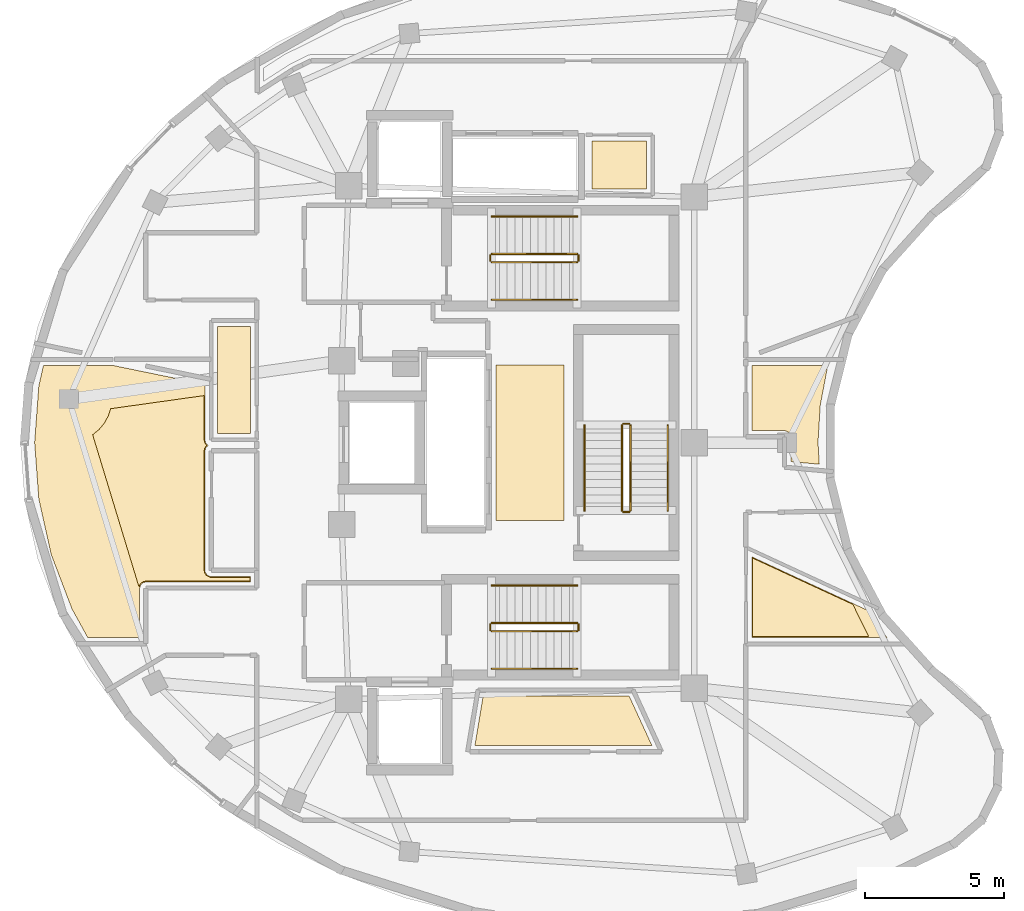
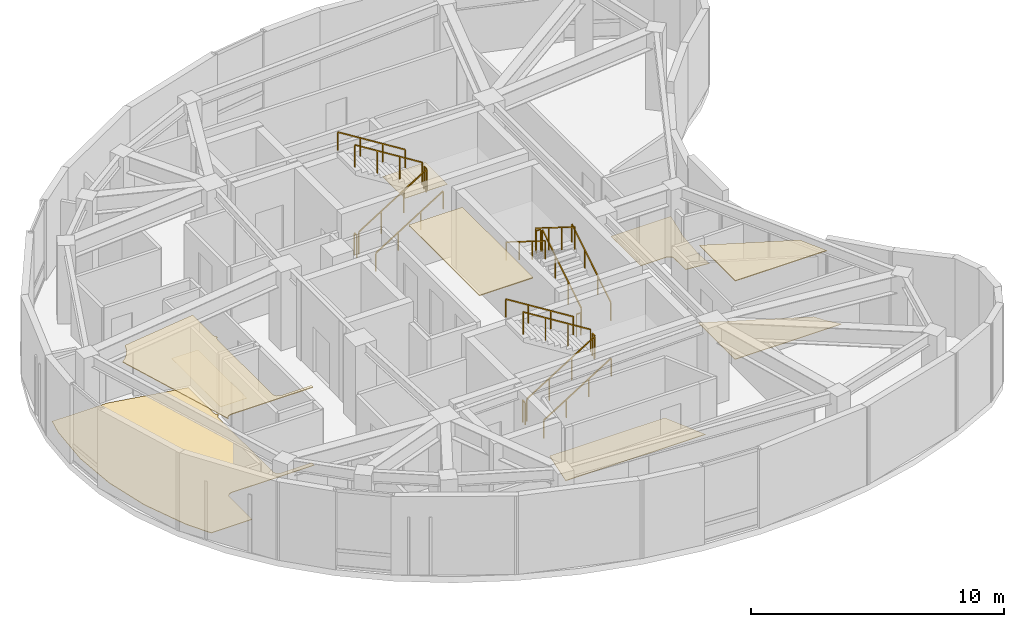
# One storey, part 7 of 8: 18 railings, 9 coverings.
"""IFC4 building model written with IfcOpenShell, lengths in metres."""

from ifc_helpers import new_model, si_unit, direction, frame, origin, origin_2d, place, context, subcontext, project, spatial, polyline, rectangle, outline, extrude, material, layer, layer_set, type_object, element, save


model = new_model("IFC4")

# Units and contexts
model_context = context("Model", 3, precision=1e-05, world=origin(), true_north=direction((0.0, 1.0)))
body_context = subcontext(model_context, "Body", "Model", "MODEL_VIEW")
ifc_project = project(units=[si_unit("LENGTHUNIT", "METRE"), si_unit("AREAUNIT", "SQUARE_METRE"), si_unit("VOLUMEUNIT", "CUBIC_METRE"), si_unit("PLANEANGLEUNIT", "RADIAN"), si_unit("MASSUNIT", "GRAM", prefix="KILO")], contexts=[model_context])

# Site, building, storey
site_placement = place(None, origin())
site = spatial("IfcSite", under=ifc_project, at=site_placement, CompositionType="ELEMENT")
building_placement = place(site_placement, origin())
building = spatial("IfcBuilding", under=site, at=building_placement, Name="Korentha Bioscience Tower", CompositionType="ELEMENT")
storey_placement = place(building_placement, frame((0.0, 0.0, 318.60009765625)))
storey = spatial("IfcBuildingStorey", under=building, at=storey_placement, Name="L73", CompositionType="ELEMENT", Elevation=318.60009765625)

# Coverings
ifc_material_1 = material(Name="Vitrified Porcelain Tile", Category="ceramic")
ifc_layer_1 = layer(ifc_material_1, 0.014892578125, Name="Vitrified Porcelain Tile")
ifc_layer_set_1 = layer_set([ifc_layer_1], Name="Vitrified Porcelain Tile (FL-CER)")
covering_type_1 = type_object("IfcCoveringType", Name="Anti-Slip Ceramic Wet-Room Tile Flooring 15", PredefinedType="FLOORING", material=ifc_layer_set_1)
covering_1_placement = place(storey_placement, origin())
element("IfcCovering", 1, at=covering_1_placement, inside=storey, type_object=covering_type_1, Name="L73 Accessible Staff WC Floor Finish", PredefinedType="FLOORING", context=body_context, shape_type="SweptSolid", body=[
    extrude(outline(polyline([(33.8701171875, 36.1298828125), (33.8701171875, 37.8701171875), (35.830078125, 37.8701171875), (35.830078125, 36.1298828125), (33.8701171875, 36.1298828125)])), origin(), (0.0, 0.0, 1.0), 0.014892578125),
])
covering_2_placement = place(storey_placement, origin())
element("IfcCovering", 2, at=covering_2_placement, inside=storey, type_object=covering_type_1, Name="L73 Reclaimed Bank-2 Accessible Staff WC Floor Finish", PredefinedType="FLOORING", context=body_context, shape_type="SweptSolid", body=[
    extrude(outline(polyline([(21.570068359375, 27.320068359375), (20.3701171875, 27.320068359375), (20.3701171875, 31.179931640625), (21.570068359375, 31.179931640625), (21.570068359375, 27.320068359375)])), origin(), (0.0, 0.0, 1.0), 0.014892578125),
])

# Railings
ifc_material_2 = material(Name="Stainless Steel 304", Category="steel")
railing_type_1 = type_object("IfcRailingType", Name="Brushed Stainless Stair Handrail 900", PredefinedType="HANDRAIL", material=ifc_material_2)
railing_1_placement = place(storey_placement, frame((30.25, 32.14990234375, 0.1748046875)))
element("IfcRailing", 3, at=railing_1_placement, inside=storey, type_object=railing_type_1, Name="L73 ST-1 stair handrail 1", PredefinedType="HANDRAIL", context=body_context, shape_type="SweptSolid", body=[
    extrude(rectangle(XDim=0.048095703125, YDim=0.048095703125, at=origin_2d()), frame((0.0, 0.0, 0.8759765625), z_axis=(0.847998304005, 0.0, 0.529998940003), x_axis=(0.0, 1.0, 0.0)), (0.0, 0.0, 1.0), 3.632080078125),
    extrude(rectangle(XDim=0.0419921875, YDim=0.0419921875, at=origin_2d()), origin(), (0.0, 0.0, 1.0), 0.851806640625),
    extrude(rectangle(XDim=0.0419921875, YDim=0.0419921875, at=origin_2d()), frame((1.026611328125, 0.0, 0.6416015625)), (0.0, 0.0, 1.0), 0.851806640625),
    extrude(rectangle(XDim=0.0419921875, YDim=0.0419921875, at=origin_2d()), frame((2.053466796875, 0.0, 1.283447265625)), (0.0, 0.0, 1.0), 0.851806640625),
    extrude(rectangle(XDim=0.0419921875, YDim=0.0419921875, at=origin_2d()), frame((3.080078125, 0.0, 1.925048828125)), (0.0, 0.0, 1.0), 0.851806640625),
])
railing_2_placement = place(storey_placement, frame((33.330078125, 35.14990234375, 2.27490234375)))
element("IfcRailing", 4, at=railing_2_placement, inside=storey, type_object=railing_type_1, Name="L73 ST-1 stair handrail 2", PredefinedType="HANDRAIL", context=body_context, shape_type="SweptSolid", body=[
    extrude(rectangle(XDim=0.048095703125, YDim=0.048095703125, at=origin_2d()), frame((0.0, 0.0, 0.8759765625), z_axis=(-0.847998304005, 0.0, 0.529998940003), x_axis=(0.0, -1.0, 0.0)), (0.0, 0.0, 1.0), 3.632080078125),
    extrude(rectangle(XDim=0.0419921875, YDim=0.0419921875, at=origin_2d()), origin(), (0.0, 0.0, 1.0), 0.851806640625),
    extrude(rectangle(XDim=0.0419921875, YDim=0.0419921875, at=origin_2d()), frame((-1.026611328125, 0.0, 0.6416015625)), (0.0, 0.0, 1.0), 0.851806640625),
    extrude(rectangle(XDim=0.0419921875, YDim=0.0419921875, at=origin_2d()), frame((-2.053466796875, 0.0, 1.283447265625)), (0.0, 0.0, 1.0), 0.851806640625),
    extrude(rectangle(XDim=0.0419921875, YDim=0.0419921875, at=origin_2d()), frame((-3.080078125, 0.0, 1.925048828125)), (0.0, 0.0, 1.0), 0.851806640625),
])
railing_3_placement = place(storey_placement, frame((30.25, 18.85009765625, 0.1748046875)))
element("IfcRailing", 5, at=railing_3_placement, inside=storey, type_object=railing_type_1, Name="L73 ST-2 stair handrail 1", PredefinedType="HANDRAIL", context=body_context, shape_type="SweptSolid", body=[
    extrude(rectangle(XDim=0.048095703125, YDim=0.048095703125, at=origin_2d()), frame((0.0, 0.0, 0.8759765625), z_axis=(0.847998304005, 0.0, 0.529998940003), x_axis=(0.0, 1.0, 0.0)), (0.0, 0.0, 1.0), 3.632080078125),
    extrude(rectangle(XDim=0.0419921875, YDim=0.0419921875, at=origin_2d()), origin(), (0.0, 0.0, 1.0), 0.851806640625),
    extrude(rectangle(XDim=0.0419921875, YDim=0.0419921875, at=origin_2d()), frame((1.026611328125, 0.0, 0.6416015625)), (0.0, 0.0, 1.0), 0.851806640625),
    extrude(rectangle(XDim=0.0419921875, YDim=0.0419921875, at=origin_2d()), frame((2.053466796875, 0.0, 1.283447265625)), (0.0, 0.0, 1.0), 0.851806640625),
    extrude(rectangle(XDim=0.0419921875, YDim=0.0419921875, at=origin_2d()), frame((3.080078125, 0.0, 1.925048828125)), (0.0, 0.0, 1.0), 0.851806640625),
])
railing_4_placement = place(storey_placement, frame((33.330078125, 21.85009765625, 2.27490234375)))
element("IfcRailing", 6, at=railing_4_placement, inside=storey, type_object=railing_type_1, Name="L73 ST-2 stair handrail 2", PredefinedType="HANDRAIL", context=body_context, shape_type="SweptSolid", body=[
    extrude(rectangle(XDim=0.048095703125, YDim=0.048095703125, at=origin_2d()), frame((0.0, 0.0, 0.8759765625), z_axis=(-0.847998304005, 0.0, 0.529998940003), x_axis=(0.0, -1.0, 0.0)), (0.0, 0.0, 1.0), 3.632080078125),
    extrude(rectangle(XDim=0.0419921875, YDim=0.0419921875, at=origin_2d()), origin(), (0.0, 0.0, 1.0), 0.851806640625),
    extrude(rectangle(XDim=0.0419921875, YDim=0.0419921875, at=origin_2d()), frame((-1.026611328125, 0.0, 0.6416015625)), (0.0, 0.0, 1.0), 0.851806640625),
    extrude(rectangle(XDim=0.0419921875, YDim=0.0419921875, at=origin_2d()), frame((-2.053466796875, 0.0, 1.283447265625)), (0.0, 0.0, 1.0), 0.851806640625),
    extrude(rectangle(XDim=0.0419921875, YDim=0.0419921875, at=origin_2d()), frame((-3.080078125, 0.0, 1.925048828125)), (0.0, 0.0, 1.0), 0.851806640625),
])
railing_5_placement = place(storey_placement, frame((36.60009765625, 24.550048828125, 0.1748046875)))
element("IfcRailing", 7, at=railing_5_placement, inside=storey, type_object=railing_type_1, Name="L73 ST-3 stair handrail 1", PredefinedType="HANDRAIL", context=body_context, shape_type="SweptSolid", body=[
    extrude(rectangle(XDim=0.048095703125, YDim=0.048095703125, at=origin_2d()), frame((0.0, 0.0, 0.8759765625), z_axis=(0.0, 0.847979421464, 0.530029150871), x_axis=(-1.0, 0.0, 0.0)), (0.0, 0.0, 1.0), 3.632080078125),
    extrude(rectangle(XDim=0.0419921875, YDim=0.0419921875, at=origin_2d()), origin(), (0.0, 0.0, 1.0), 0.851806640625),
    extrude(rectangle(XDim=0.0419921875, YDim=0.0419921875, at=origin_2d()), frame((0.0, 1.026611328125, 0.6416015625)), (0.0, 0.0, 1.0), 0.851806640625),
    extrude(rectangle(XDim=0.0419921875, YDim=0.0419921875, at=origin_2d()), frame((0.0, 2.05322265625, 1.283447265625)), (0.0, 0.0, 1.0), 0.851806640625),
    extrude(rectangle(XDim=0.0419921875, YDim=0.0419921875, at=origin_2d()), frame((0.0, 3.079833984375, 1.925048828125)), (0.0, 0.0, 1.0), 0.851806640625),
])
railing_6_placement = place(storey_placement, frame((33.60009765625, 27.6298828125, 2.27490234375)))
element("IfcRailing", 8, at=railing_6_placement, inside=storey, type_object=railing_type_1, Name="L73 ST-3 stair handrail 2", PredefinedType="HANDRAIL", context=body_context, shape_type="SweptSolid", body=[
    extrude(rectangle(XDim=0.048095703125, YDim=0.048095703125, at=origin_2d()), frame((0.0, 0.0, 0.8759765625), z_axis=(0.0, -0.847979421464, 0.530029150871), x_axis=(1.0, 0.0, 0.0)), (0.0, 0.0, 1.0), 3.632080078125),
    extrude(rectangle(XDim=0.0419921875, YDim=0.0419921875, at=origin_2d()), origin(), (0.0, 0.0, 1.0), 0.851806640625),
    extrude(rectangle(XDim=0.0419921875, YDim=0.0419921875, at=origin_2d()), frame((0.0, -1.026611328125, 0.6416015625)), (0.0, 0.0, 1.0), 0.851806640625),
    extrude(rectangle(XDim=0.0419921875, YDim=0.0419921875, at=origin_2d()), frame((0.0, -2.05322265625, 1.283447265625)), (0.0, 0.0, 1.0), 0.851806640625),
    extrude(rectangle(XDim=0.0419921875, YDim=0.0419921875, at=origin_2d()), frame((0.0, -3.079833984375, 1.925048828125)), (0.0, 0.0, 1.0), 0.851806640625),
])

# Coverings
ifc_material_3 = material(Name="Honed Travertine Limestone", Category="masonry")
ifc_layer_2 = layer(ifc_material_3, 0.02490234375, Name="Honed Travertine Limestone")
ifc_layer_set_2 = layer_set([ifc_layer_2], Name="Honed Travertine Limestone (FL-STN)")
covering_type_2 = type_object("IfcCoveringType", Name="Honed Travertine Lobby Stone Flooring 25", PredefinedType="FLOORING", material=ifc_layer_set_2)
covering_3_placement = place(storey_placement, origin())
element("IfcCovering", 9, at=covering_3_placement, inside=storey, type_object=covering_type_2, Name="L73 Biomechanical Motion Analysis Lab 02 Floor Finish", PredefinedType="FLOORING", context=body_context, shape_type="SweptSolid", body=[
    extrude(outline(polyline([(35.20458984375, 17.8701171875), (36.028076171875, 16.080078125), (29.6474609375, 16.080078125), (29.947021484375, 17.8701171875), (35.20458984375, 17.8701171875)])), origin(), (0.0, 0.0, 1.0), 0.02490234375),
])
covering_4_placement = place(storey_placement, origin())
element("IfcCovering", 10, at=covering_4_placement, inside=storey, type_object=covering_type_2, Name="L73 Research Colloquium Seminar Room 04 Floor Finish", PredefinedType="FLOORING", context=body_context, shape_type="SweptSolid", body=[
    extrude(outline(polyline([(44.0615234375, 20.5302734375), (44.5009765625, 19.97802734375), (39.6298828125, 19.97802734375), (39.6298828125, 22.88330078125), (43.79443359375, 20.958984375), (44.0615234375, 20.5302734375)])), origin(), (0.0, 0.0, 1.0), 0.02490234375),
])
covering_5_placement = place(storey_placement, origin())
element("IfcCovering", 11, at=covering_5_placement, inside=storey, type_object=covering_type_2, Name="L73 Catering Warming Kitchen and Scullery 06 Floor Finish", PredefinedType="FLOORING", context=body_context, shape_type="SweptSolid", body=[
    extrude(outline(polyline([(42.362548828125, 29.778076171875), (42.091796875, 28.33837890625), (42.011474609375, 27.017578125), (42.0576171875, 26.22021484375), (41.030029296875, 26.315673828125), (41.02978515625, 27.2119140625), (41.0078125, 27.298828125), (40.9375, 27.384521484375), (40.810791015625, 27.4296875), (39.6298828125, 27.429931640625), (39.6298828125, 29.778076171875), (42.362548828125, 29.778076171875)])), origin(), (0.0, 0.0, 1.0), 0.02490234375),
])
covering_6_placement = place(storey_placement, origin())
element("IfcCovering", 12, at=covering_6_placement, inside=storey, type_object=covering_type_2, Name="L73 Bioscience Discovery Exhibition Hall 10 Floor Finish", PredefinedType="FLOORING", context=body_context, shape_type="SweptSolid", body=[
    extrude(outline(polyline([(16.6123046875, 29.778076171875), (19.919921875, 29.09912109375), (19.92041015625, 27.088134765625), (19.952880859375, 26.981201171875), (20.036865234375, 26.89990234375), (19.952392578125, 26.81787109375), (19.919921875, 26.699951171875), (19.9267578125, 22.344482421875), (19.995849609375, 22.229248046875), (20.11669921875, 22.17236328125), (21.570068359375, 22.169921875), (21.570068359375, 21.97998046875), (17.800048828125, 21.97998046875), (17.68212890625, 21.947509765625), (17.60302734375, 21.86865234375), (17.5703125, 21.76171875), (17.570068359375, 19.971923828125), (15.69873046875, 19.971923828125), (15.12744140625, 21.009521484375), (14.3837890625, 22.9599609375), (13.93408203125, 24.966064453125), (13.783447265625, 27.0), (13.933837890625, 29.03369140625), (14.100830078125, 29.778076171875), (16.6123046875, 29.778076171875)])), origin(), (0.0, 0.0, 1.0), 0.02490234375),
])
ifc_material_4 = material(Name="Antimicrobial Mineral Fibre Board", Category="gypsum")
ifc_layer_3 = layer(ifc_material_4, 0.034912109375, Name="Antimicrobial Mineral Fibre Board")
ifc_layer_set_3 = layer_set([ifc_layer_3], Name="Antimicrobial Mineral Fibre Board (CL-MF35)")
covering_type_3 = type_object("IfcCoveringType", Name="Mineral-Fibre Cleanroom Suspended Ceiling 35", PredefinedType="CEILING", material=ifc_layer_set_3)
covering_7_placement = place(storey_placement, frame((0.0, 0.0, 3.7548828125)))
element("IfcCovering", 13, at=covering_7_placement, inside=storey, type_object=covering_type_3, Name="L73 Research Colloquium Seminar Room 04 Acoustic Ceiling", PredefinedType="CEILING", context=body_context, shape_type="SweptSolid", body=[
    extrude(outline(polyline([(39.659912109375, 22.836181640625), (43.268310546875, 21.1689453125), (43.8388671875, 20.008056640625), (39.659912109375, 20.008056640625), (39.659912109375, 22.836181640625)])), origin(), (0.0, 0.0, 1.0), 0.034912109375),
])
covering_8_placement = place(storey_placement, frame((0.0, 0.0, 3.7548828125)))
element("IfcCovering", 14, at=covering_8_placement, inside=storey, type_object=covering_type_3, Name="L73 Bioscience Discovery Exhibition Hall 10 Acoustic Ceiling", PredefinedType="CEILING", context=body_context, shape_type="SweptSolid", body=[
    extrude(outline(polyline([(19.890380859375, 27.087646484375), (19.915283203125, 26.98828125), (19.984375, 26.89990234375), (19.914794921875, 26.810791015625), (19.889892578125, 26.699951171875), (19.889892578125, 22.39990234375), (19.905029296875, 22.31298828125), (19.975830078125, 22.20703125), (20.111328125, 22.142822265625), (21.5400390625, 22.139892578125), (21.5400390625, 22.010009765625), (17.786865234375, 22.009765625), (17.689208984375, 21.985107421875), (17.625732421875, 21.943115234375), (17.57666015625, 21.88330078125), (17.544189453125, 21.7958984375), (15.87451171875, 27.281982421875), (16.108642578125, 27.47412109375), (16.301513671875, 27.708984375), (16.444580078125, 27.976806640625), (16.521240234375, 28.22119140625), (19.889892578125, 28.69384765625), (19.890380859375, 27.087646484375)])), origin(), (0.0, 0.0, 1.0), 0.034912109375),
])

# Railings
ifc_material_5 = material(Name="Painted Steel S275", Category="steel")
railing_type_2 = type_object("IfcRailingType", Name="Painted Steel Stair Well Guardrail 1100", PredefinedType="GUARDRAIL", material=ifc_material_5)
railing_7_placement = place(storey_placement, frame((30.25, 33.5, 0.1748046875)))
element("IfcRailing", 15, at=railing_7_placement, inside=storey, type_object=railing_type_2, Name="L73 ST-1 stair guard 1", PredefinedType="GUARDRAIL", context=body_context, shape_type="SweptSolid", body=[
    extrude(rectangle(XDim=0.048095703125, YDim=0.048095703125, at=origin_2d()), frame((0.0, 0.0, 1.076171875), z_axis=(0.847998304005, 0.0, 0.529998940003), x_axis=(0.0, 1.0, 0.0)), (0.0, 0.0, 1.0), 3.632080078125),
    extrude(rectangle(XDim=0.0419921875, YDim=0.0419921875, at=origin_2d()), origin(), (0.0, 0.0, 1.0), 1.052001953125),
    extrude(rectangle(XDim=0.0419921875, YDim=0.0419921875, at=origin_2d()), frame((1.026611328125, 0.0, 0.6416015625)), (0.0, 0.0, 1.0), 1.052001953125),
    extrude(rectangle(XDim=0.0419921875, YDim=0.0419921875, at=origin_2d()), frame((2.053466796875, 0.0, 1.283447265625)), (0.0, 0.0, 1.0), 1.052001953125),
    extrude(rectangle(XDim=0.0419921875, YDim=0.0419921875, at=origin_2d()), frame((3.080078125, 0.0, 1.925048828125)), (0.0, 0.0, 1.0), 1.052001953125),
])
railing_8_placement = place(storey_placement, frame((33.3798828125, 33.550048828125, 2.099853515625)))
element("IfcRailing", 16, at=railing_8_placement, inside=storey, type_object=railing_type_2, Name="L73 ST-1 stair guard 2", PredefinedType="GUARDRAIL", context=body_context, shape_type="SweptSolid", body=[
    extrude(rectangle(XDim=0.048095703125, YDim=0.048095703125, at=origin_2d()), frame((0.0, 0.0, 1.076171875), z_axis=(0.0, 1.0, 0.0), x_axis=(-1.0, 0.0, 0.0)), (0.0, 0.0, 1.0), 0.199951171875),
    extrude(rectangle(XDim=0.0419921875, YDim=0.0419921875, at=origin_2d()), origin(), (0.0, 0.0, 1.0), 1.052001953125),
    extrude(rectangle(XDim=0.0419921875, YDim=0.0419921875, at=origin_2d()), frame((0.0, 0.199951171875, 0.0)), (0.0, 0.0, 1.0), 1.052001953125),
])
railing_9_placement = place(storey_placement, frame((33.330078125, 33.800048828125, 2.27490234375)))
element("IfcRailing", 17, at=railing_9_placement, inside=storey, type_object=railing_type_2, Name="L73 ST-1 stair guard 3", PredefinedType="GUARDRAIL", context=body_context, shape_type="SweptSolid", body=[
    extrude(rectangle(XDim=0.048095703125, YDim=0.048095703125, at=origin_2d()), frame((0.0, 0.0, 1.076171875), z_axis=(-0.847998304005, 0.0, 0.529998940003), x_axis=(0.0, -1.0, 0.0)), (0.0, 0.0, 1.0), 3.632080078125),
    extrude(rectangle(XDim=0.0419921875, YDim=0.0419921875, at=origin_2d()), origin(), (0.0, 0.0, 1.0), 1.052001953125),
    extrude(rectangle(XDim=0.0419921875, YDim=0.0419921875, at=origin_2d()), frame((-1.026611328125, 0.0, 0.6416015625)), (0.0, 0.0, 1.0), 1.052001953125),
    extrude(rectangle(XDim=0.0419921875, YDim=0.0419921875, at=origin_2d()), frame((-2.053466796875, 0.0, 1.283447265625)), (0.0, 0.0, 1.0), 1.052001953125),
    extrude(rectangle(XDim=0.0419921875, YDim=0.0419921875, at=origin_2d()), frame((-3.080078125, 0.0, 1.925048828125)), (0.0, 0.0, 1.0), 1.052001953125),
])
railing_10_placement = place(storey_placement, frame((30.199951171875, 33.550048828125, 0.0)))
element("IfcRailing", 18, at=railing_10_placement, inside=storey, type_object=railing_type_2, Name="L73 ST-1 stair guard 4", PredefinedType="GUARDRAIL", context=body_context, shape_type="SweptSolid", body=[
    extrude(rectangle(XDim=0.048095703125, YDim=0.048095703125, at=origin_2d()), frame((0.0, 0.0, 1.076171875), z_axis=(0.0, 1.0, 0.0), x_axis=(-1.0, 0.0, 0.0)), (0.0, 0.0, 1.0), 0.199951171875),
    extrude(rectangle(XDim=0.0419921875, YDim=0.0419921875, at=origin_2d()), origin(), (0.0, 0.0, 1.0), 1.052001953125),
    extrude(rectangle(XDim=0.0419921875, YDim=0.0419921875, at=origin_2d()), frame((0.0, 0.199951171875, 0.0)), (0.0, 0.0, 1.0), 1.052001953125),
])
railing_11_placement = place(storey_placement, frame((30.25, 20.199951171875, 0.1748046875)))
element("IfcRailing", 19, at=railing_11_placement, inside=storey, type_object=railing_type_2, Name="L73 ST-2 stair guard 1", PredefinedType="GUARDRAIL", context=body_context, shape_type="SweptSolid", body=[
    extrude(rectangle(XDim=0.048095703125, YDim=0.048095703125, at=origin_2d()), frame((0.0, 0.0, 1.076171875), z_axis=(0.847998304005, 0.0, 0.529998940003), x_axis=(0.0, 1.0, 0.0)), (0.0, 0.0, 1.0), 3.632080078125),
    extrude(rectangle(XDim=0.0419921875, YDim=0.0419921875, at=origin_2d()), origin(), (0.0, 0.0, 1.0), 1.052001953125),
    extrude(rectangle(XDim=0.0419921875, YDim=0.0419921875, at=origin_2d()), frame((1.026611328125, 0.0, 0.6416015625)), (0.0, 0.0, 1.0), 1.052001953125),
    extrude(rectangle(XDim=0.0419921875, YDim=0.0419921875, at=origin_2d()), frame((2.053466796875, 0.0, 1.283447265625)), (0.0, 0.0, 1.0), 1.052001953125),
    extrude(rectangle(XDim=0.0419921875, YDim=0.0419921875, at=origin_2d()), frame((3.080078125, 0.0, 1.925048828125)), (0.0, 0.0, 1.0), 1.052001953125),
])
railing_12_placement = place(storey_placement, frame((33.3798828125, 20.25, 2.099853515625)))
element("IfcRailing", 20, at=railing_12_placement, inside=storey, type_object=railing_type_2, Name="L73 ST-2 stair guard 2", PredefinedType="GUARDRAIL", context=body_context, shape_type="SweptSolid", body=[
    extrude(rectangle(XDim=0.048095703125, YDim=0.048095703125, at=origin_2d()), frame((0.0, 0.0, 1.076171875), z_axis=(0.0, 1.0, 0.0), x_axis=(-1.0, 0.0, 0.0)), (0.0, 0.0, 1.0), 0.199951171875),
    extrude(rectangle(XDim=0.0419921875, YDim=0.0419921875, at=origin_2d()), origin(), (0.0, 0.0, 1.0), 1.052001953125),
    extrude(rectangle(XDim=0.0419921875, YDim=0.0419921875, at=origin_2d()), frame((0.0, 0.199951171875, 0.0)), (0.0, 0.0, 1.0), 1.052001953125),
])
railing_13_placement = place(storey_placement, frame((33.330078125, 20.5, 2.27490234375)))
element("IfcRailing", 21, at=railing_13_placement, inside=storey, type_object=railing_type_2, Name="L73 ST-2 stair guard 3", PredefinedType="GUARDRAIL", context=body_context, shape_type="SweptSolid", body=[
    extrude(rectangle(XDim=0.048095703125, YDim=0.048095703125, at=origin_2d()), frame((0.0, 0.0, 1.076171875), z_axis=(-0.847998304005, 0.0, 0.529998940003), x_axis=(0.0, -1.0, 0.0)), (0.0, 0.0, 1.0), 3.632080078125),
    extrude(rectangle(XDim=0.0419921875, YDim=0.0419921875, at=origin_2d()), origin(), (0.0, 0.0, 1.0), 1.052001953125),
    extrude(rectangle(XDim=0.0419921875, YDim=0.0419921875, at=origin_2d()), frame((-1.026611328125, 0.0, 0.6416015625)), (0.0, 0.0, 1.0), 1.052001953125),
    extrude(rectangle(XDim=0.0419921875, YDim=0.0419921875, at=origin_2d()), frame((-2.053466796875, 0.0, 1.283447265625)), (0.0, 0.0, 1.0), 1.052001953125),
    extrude(rectangle(XDim=0.0419921875, YDim=0.0419921875, at=origin_2d()), frame((-3.080078125, 0.0, 1.925048828125)), (0.0, 0.0, 1.0), 1.052001953125),
])
railing_14_placement = place(storey_placement, frame((30.199951171875, 20.25, 0.0)))
element("IfcRailing", 22, at=railing_14_placement, inside=storey, type_object=railing_type_2, Name="L73 ST-2 stair guard 4", PredefinedType="GUARDRAIL", context=body_context, shape_type="SweptSolid", body=[
    extrude(rectangle(XDim=0.048095703125, YDim=0.048095703125, at=origin_2d()), frame((0.0, 0.0, 1.076171875), z_axis=(0.0, 1.0, 0.0), x_axis=(-1.0, 0.0, 0.0)), (0.0, 0.0, 1.0), 0.199951171875),
    extrude(rectangle(XDim=0.0419921875, YDim=0.0419921875, at=origin_2d()), origin(), (0.0, 0.0, 1.0), 1.052001953125),
    extrude(rectangle(XDim=0.0419921875, YDim=0.0419921875, at=origin_2d()), frame((0.0, 0.199951171875, 0.0)), (0.0, 0.0, 1.0), 1.052001953125),
])
railing_15_placement = place(storey_placement, frame((35.25, 24.550048828125, 0.1748046875)))
element("IfcRailing", 23, at=railing_15_placement, inside=storey, type_object=railing_type_2, Name="L73 ST-3 stair guard 1", PredefinedType="GUARDRAIL", context=body_context, shape_type="SweptSolid", body=[
    extrude(rectangle(XDim=0.048095703125, YDim=0.048095703125, at=origin_2d()), frame((0.0, 0.0, 1.076171875), z_axis=(0.0, 0.847979421464, 0.530029150871), x_axis=(-1.0, 0.0, 0.0)), (0.0, 0.0, 1.0), 3.632080078125),
    extrude(rectangle(XDim=0.0419921875, YDim=0.0419921875, at=origin_2d()), origin(), (0.0, 0.0, 1.0), 1.052001953125),
    extrude(rectangle(XDim=0.0419921875, YDim=0.0419921875, at=origin_2d()), frame((0.0, 1.026611328125, 0.6416015625)), (0.0, 0.0, 1.0), 1.052001953125),
    extrude(rectangle(XDim=0.0419921875, YDim=0.0419921875, at=origin_2d()), frame((0.0, 2.05322265625, 1.283447265625)), (0.0, 0.0, 1.0), 1.052001953125),
    extrude(rectangle(XDim=0.0419921875, YDim=0.0419921875, at=origin_2d()), frame((0.0, 3.079833984375, 1.925048828125)), (0.0, 0.0, 1.0), 1.052001953125),
])
railing_16_placement = place(storey_placement, frame((35.199951171875, 27.679931640625, 2.099853515625)))
element("IfcRailing", 24, at=railing_16_placement, inside=storey, type_object=railing_type_2, Name="L73 ST-3 stair guard 2", PredefinedType="GUARDRAIL", context=body_context, shape_type="SweptSolid", body=[
    extrude(rectangle(XDim=0.048095703125, YDim=0.048095703125, at=origin_2d()), frame((0.0, 0.0, 1.076171875), z_axis=(-1.0, 0.0, 0.0), x_axis=(0.0, -1.0, 0.0)), (0.0, 0.0, 1.0), 0.199951171875),
    extrude(rectangle(XDim=0.0419921875, YDim=0.0419921875, at=origin_2d()), origin(), (0.0, 0.0, 1.0), 1.052001953125),
    extrude(rectangle(XDim=0.0419921875, YDim=0.0419921875, at=origin_2d()), frame((-0.199951171875, 0.0, 0.0)), (0.0, 0.0, 1.0), 1.052001953125),
])
railing_17_placement = place(storey_placement, frame((34.949951171875, 27.6298828125, 2.27490234375)))
element("IfcRailing", 25, at=railing_17_placement, inside=storey, type_object=railing_type_2, Name="L73 ST-3 stair guard 3", PredefinedType="GUARDRAIL", context=body_context, shape_type="SweptSolid", body=[
    extrude(rectangle(XDim=0.048095703125, YDim=0.048095703125, at=origin_2d()), frame((0.0, 0.0, 1.076171875), z_axis=(0.0, -0.847979421464, 0.530029150871), x_axis=(1.0, 0.0, 0.0)), (0.0, 0.0, 1.0), 3.632080078125),
    extrude(rectangle(XDim=0.0419921875, YDim=0.0419921875, at=origin_2d()), origin(), (0.0, 0.0, 1.0), 1.052001953125),
    extrude(rectangle(XDim=0.0419921875, YDim=0.0419921875, at=origin_2d()), frame((0.0, -1.026611328125, 0.6416015625)), (0.0, 0.0, 1.0), 1.052001953125),
    extrude(rectangle(XDim=0.0419921875, YDim=0.0419921875, at=origin_2d()), frame((0.0, -2.05322265625, 1.283447265625)), (0.0, 0.0, 1.0), 1.052001953125),
    extrude(rectangle(XDim=0.0419921875, YDim=0.0419921875, at=origin_2d()), frame((0.0, -3.079833984375, 1.925048828125)), (0.0, 0.0, 1.0), 1.052001953125),
])
railing_18_placement = place(storey_placement, frame((35.199951171875, 24.5, 0.0)))
element("IfcRailing", 26, at=railing_18_placement, inside=storey, type_object=railing_type_2, Name="L73 ST-3 stair guard 4", PredefinedType="GUARDRAIL", context=body_context, shape_type="SweptSolid", body=[
    extrude(rectangle(XDim=0.048095703125, YDim=0.048095703125, at=origin_2d()), frame((0.0, 0.0, 1.076171875), z_axis=(-1.0, 0.0, 0.0), x_axis=(0.0, -1.0, 0.0)), (0.0, 0.0, 1.0), 0.199951171875),
    extrude(rectangle(XDim=0.0419921875, YDim=0.0419921875, at=origin_2d()), origin(), (0.0, 0.0, 1.0), 1.052001953125),
    extrude(rectangle(XDim=0.0419921875, YDim=0.0419921875, at=origin_2d()), frame((-0.199951171875, 0.0, 0.0)), (0.0, 0.0, 1.0), 1.052001953125),
])

# Covering
ifc_material_6 = material(Name="Perforated Powder-Coated Aluminium", Category="aluminium")
ifc_layer_4 = layer(ifc_material_6, 0.044921875, Name="Perforated Powder-Coated Aluminium")
ifc_layer_set_4 = layer_set([ifc_layer_4], Name="Perforated Powder-Coated Aluminium (CL-M45)")
covering_type_4 = type_object("IfcCoveringType", Name="Perforated Metal Laboratory Acoustic Ceiling 45", PredefinedType="CEILING", material=ifc_layer_set_4)
covering_9_placement = place(storey_placement, frame((0.0, 0.0, 3.744873046875)))
element("IfcCovering", 27, at=covering_9_placement, inside=storey, type_object=covering_type_4, Name="L73 Acoustic Metal Baffle Ceiling", PredefinedType="CEILING", context=body_context, shape_type="SweptSolid", body=[
    extrude(outline(polyline([(30.39990234375, 24.199951171875), (32.85009765625, 24.199951171875), (32.85009765625, 29.800048828125), (30.39990234375, 29.800048828125), (30.39990234375, 24.199951171875)])), origin(), (0.0, 0.0, 1.0), 0.044921875),
])

save(model, "model.ifc")
